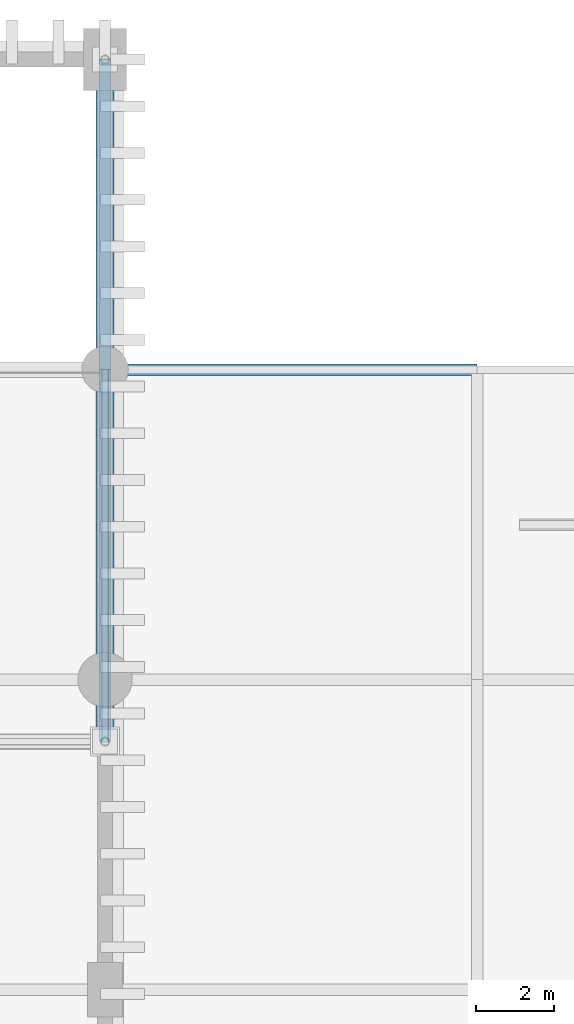
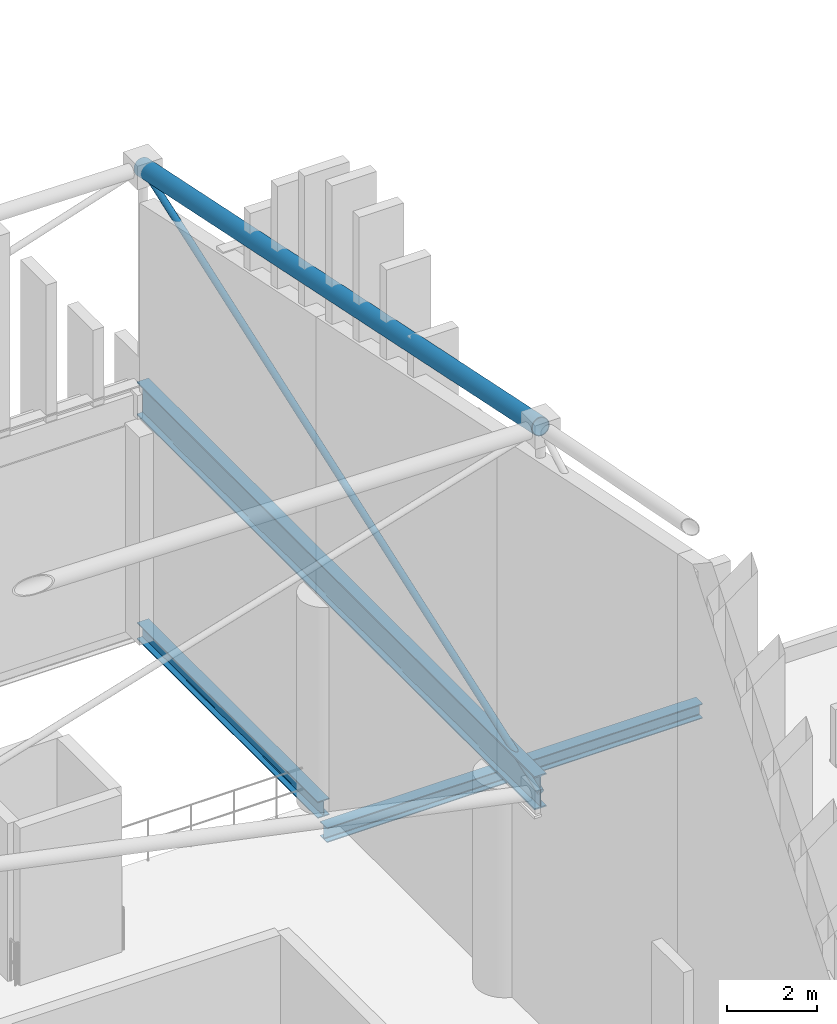
# One storey, part 135 of 193: 3 beams, 2 members.
"""IFC4 building model written with IfcOpenShell, lengths in metres."""

import ifcopenshell
import ifcopenshell.guid

model = None  # the IFC model being written
_history = None  # IfcOwnerHistory: only IFC2X3 demands one
_inside = {}  # id of a spatial element -> (the spatial element, [elements in it])
_under = {}  # id of a project, library or spatial element -> (it, [spatial elements below it])
_declared = {}  # id of a project -> (the project, [libraries it declares])
_typed = {}  # id of a type object -> (the type object, [elements of that type])
_made_of = {}  # id of a material, layer set ... -> (it, [elements and type objects made of it])


def new_model(schema):
    """Start an empty IFC model of exactly this schema.

    Asked for "IFC4X3", IfcOpenShell would pick the latest addendum, in which some entities
    have other attributes; the version numbers below select the first issue.
    IFC2X3 requires an IfcOwnerHistory on every rooted entity: one is made here for all.
    """
    global model, _history
    if schema == "IFC4X3":
        model = ifcopenshell.file(schema_version=(4, 3, 0, 0))
    else:
        model = ifcopenshell.file(schema=schema)
    _inside.clear()
    _under.clear()
    _declared.clear()
    _typed.clear()
    _made_of.clear()
    _history = None
    if model.schema == "IFC2X3":
        org = make("IfcOrganization", Name="unknown")
        user = make(
            "IfcPersonAndOrganization",
            ThePerson=make("IfcPerson", FamilyName="unknown"),
            TheOrganization=org,
        )
        app = make(
            "IfcApplication",
            ApplicationDeveloper=org,
            Version="unknown",
            ApplicationFullName="unknown",
            ApplicationIdentifier="unknown",
        )
        _history = make(
            "IfcOwnerHistory",
            OwningUser=user,
            OwningApplication=app,
            ChangeAction="ADDED",
            CreationDate=0,
        )
    return model


def make(cls, **values):
    """One entity of the class cls with the attributes given. An attribute that is None is left unset."""
    return model.create_entity(
        cls, **{name: value for name, value in values.items() if value is not None}
    )


def rooted(cls, **values):
    """An entity with a GlobalId (a new one), such as an element, a storey or a relation."""
    return make(cls, GlobalId=ifcopenshell.guid.new(), OwnerHistory=_history, **values)


def si_unit(unit_type, name, prefix=None):
    """IfcSIUnit, for example si_unit("LENGTHUNIT", "METRE", prefix="MILLI")."""
    return make("IfcSIUnit", UnitType=unit_type, Prefix=prefix, Name=name)


def assignment(units):
    """IfcUnitAssignment: the units of a project."""
    return None if units is None else make("IfcUnitAssignment", Units=units)


def point(xyz):
    """IfcCartesianPoint."""
    return None if xyz is None else make("IfcCartesianPoint", Coordinates=xyz)


def direction(xyz):
    """IfcDirection."""
    return None if xyz is None else make("IfcDirection", DirectionRatios=xyz)


def frame(location, z_axis=None, x_axis=None):
    """IfcAxis2Placement3D, a coordinate frame: its origin and axes. An axis left out is left unset."""
    return make(
        "IfcAxis2Placement3D",
        Location=point(location),
        Axis=direction(z_axis),
        RefDirection=direction(x_axis),
    )


def frame_2d(location, x_axis=None):
    """IfcAxis2Placement2D, a coordinate frame in the plane: its origin and x axis."""
    return make(
        "IfcAxis2Placement2D", Location=point(location), RefDirection=direction(x_axis)
    )


def origin():
    """The frame at (0, 0, 0) with its axes left unset."""
    return frame((0.0, 0.0, 0.0))


def origin_2d():
    """The frame at (0, 0) in the plane with its x axis left unset."""
    return frame_2d((0.0, 0.0))


def place(relative_to, where):
    """IfcLocalPlacement: puts the frame where relative to a parent placement (None: the world)."""
    return make(
        "IfcLocalPlacement", PlacementRelTo=relative_to, RelativePlacement=where
    )


def context(
    kind, dimensions, precision=None, world=None, true_north=None, identifier=None
):
    """IfcGeometricRepresentationContext, for example the 3D "Model" context."""
    return make(
        "IfcGeometricRepresentationContext",
        ContextIdentifier=identifier,
        ContextType=kind,
        CoordinateSpaceDimension=dimensions,
        Precision=precision,
        WorldCoordinateSystem=world,
        TrueNorth=true_north,
    )


def subcontext(parent, identifier, kind, view, scale=None):
    """IfcGeometricRepresentationSubContext, for example "Body" below "Model"."""
    return make(
        "IfcGeometricRepresentationSubContext",
        ContextIdentifier=identifier,
        ContextType=kind,
        ParentContext=parent,
        TargetScale=scale,
        TargetView=view,
    )


def project(units=None, contexts=None):
    """IfcProject with its units and contexts."""
    return rooted(
        "IfcProject",
        Name="project",
        RepresentationContexts=contexts,
        UnitsInContext=assignment(units),
    )


def spatial(cls, under=None, at=None, **own):
    """A site, building, storey or space (cls), placed at a placement, below another one or the project."""
    s = rooted(cls, ObjectPlacement=at, **own)
    if under is not None:
        _under.setdefault(under.id(), (under, []))[1].append(s)
    return s


def profile(cls, at=None, kind="AREA", **sizes):
    """A parametric profile (cls). Its sizes go by their IFC names, for example OverallWidth=200.0."""
    return make(cls, ProfileType=kind, Position=at, **sizes)


def hollow_circle(**sizes):
    """IfcCircleHollowProfileDef."""
    return profile("IfcCircleHollowProfileDef", **sizes)


def i_section(**sizes):
    """IfcIShapeProfileDef."""
    return profile("IfcIShapeProfileDef", **sizes)


def extrude(swept, where, along, depth):
    """IfcExtrudedAreaSolid: the profile swept, set in the frame where, extruded along a direction by depth."""
    return make(
        "IfcExtrudedAreaSolid",
        SweptArea=swept,
        Position=where,
        ExtrudedDirection=direction(along),
        Depth=depth,
    )


def shape(context_of_items, identifier, shape_type, items):
    """IfcShapeRepresentation: the items that make up one representation, for example the "Body"."""
    return make(
        "IfcShapeRepresentation",
        ContextOfItems=context_of_items,
        RepresentationIdentifier=identifier,
        RepresentationType=shape_type,
        Items=items,
    )


def material(Name=None, Category=None):
    """IfcMaterial."""
    return make("IfcMaterial", Name=Name, Category=Category)


def material_profile(
    of_material, cross_section, Name=None, Category=None, Priority=None
):
    """IfcMaterialProfile: a cross section and its material."""
    return make(
        "IfcMaterialProfile",
        Name=Name,
        Material=of_material,
        Profile=cross_section,
        Priority=Priority,
        Category=Category,
    )


def profile_set(profiles, Name=None, composite=None):
    """IfcMaterialProfileSet."""
    return make(
        "IfcMaterialProfileSet",
        Name=Name,
        MaterialProfiles=profiles,
        CompositeProfile=composite,
    )


def made_of(thing, what):
    """Note that an element or type object is made of a material, layer set ...; save() writes the relation."""
    if what is not None:
        _made_of.setdefault(what.id(), (what, []))[1].append(thing)
    return thing


def type_object(cls, material=None, **own):
    """A type object (cls), such as IfcWallType, which elements share."""
    return made_of(rooted(cls, **own), material)


def element(
    cls,
    number,
    at=None,
    inside=None,
    cuts=None,
    type_object=None,
    material=None,
    context=None,
    identifier="Body",
    shape_type=None,
    held_by="IfcProductDefinitionShape",
    body=None,
    shapes=None,
    **own,
):
    """One element of the class cls, such as IfcWall. Its Tag is "e" and its number.

    at: its placement. inside: the storey or other place that contains it. cuts: it is an
    opening in that element (IfcRelVoidsElement). A single representation is given by context,
    identifier, shape_type and body (its items); several are given by shapes. held_by: the class
    of the entity that holds the representations. save() writes the other relations.
    """
    e = rooted(cls, Tag="e%d" % number, ObjectPlacement=at, **own)
    if body is not None:
        shapes = [shape(context, identifier, shape_type, body)]
    if shapes is not None:
        e.Representation = make(held_by, Representations=shapes)
    if inside is not None:
        _inside.setdefault(inside.id(), (inside, []))[1].append(e)
    if cuts is not None:
        rooted(
            "IfcRelVoidsElement", RelatingBuildingElement=cuts, RelatedOpeningElement=e
        )
    if type_object is not None:
        _typed.setdefault(type_object.id(), (type_object, []))[1].append(e)
    return made_of(e, material)


def aggregate(whole, parts):
    """IfcRelAggregates: a whole, such as a stair, and the parts it consists of."""
    return rooted("IfcRelAggregates", RelatingObject=whole, RelatedObjects=parts)


def save(model, path):
    """Write the relations noted so far, then the file.

    IfcRelAggregates (storeys below a building ...), IfcRelContainedInSpatialStructure (elements
    in a storey), IfcRelDefinesByType, IfcRelAssociatesMaterial and IfcRelDeclares: one each for
    every whole, place, type object, material and project.
    """
    for whole, parts in _under.values():
        aggregate(whole, parts)
    for where, things in _inside.values():
        rooted(
            "IfcRelContainedInSpatialStructure",
            RelatedElements=things,
            RelatingStructure=where,
        )
    for kind, things in _typed.values():
        rooted("IfcRelDefinesByType", RelatedObjects=things, RelatingType=kind)
    for what, things in _made_of.values():
        rooted("IfcRelAssociatesMaterial", RelatedObjects=things, RelatingMaterial=what)
    for by, libraries in _declared.values():
        rooted("IfcRelDeclares", RelatingContext=by, RelatedDefinitions=libraries)
    model.write(path)


model = new_model("IFC4")

# Units and contexts
model_context = context("Model", 3, precision=1e-05, world=origin(), true_north=direction((0.0, 1.0)))
body_context = subcontext(model_context, "Body", "Model", "MODEL_VIEW")
ifc_project = project(units=[si_unit("LENGTHUNIT", "METRE"), si_unit("AREAUNIT", "SQUARE_METRE"), si_unit("VOLUMEUNIT", "CUBIC_METRE"), si_unit("PLANEANGLEUNIT", "RADIAN"), si_unit("MASSUNIT", "GRAM", prefix="KILO")], contexts=[model_context])

# Site, building, storey
site_placement = place(None, origin())
site = spatial("IfcSite", under=ifc_project, at=site_placement, CompositionType="ELEMENT")
building_placement = place(site_placement, origin())
building = spatial("IfcBuilding", under=site, at=building_placement, Name="Danafjord Basin Convention Centre", CompositionType="ELEMENT")
storey_placement = place(building_placement, frame((0.0, 0.0, 11.39990234375)))
storey = spatial("IfcBuildingStorey", under=building, at=storey_placement, Name="L02", CompositionType="ELEMENT", Elevation=11.39990234375)

# Beams
ifc_material = material(Name="Steel S355", Category="steel")
ifc_material_profile_1 = material_profile(ifc_material, i_section(OverallWidth=0.300048828125, OverallDepth=0.89990234375, WebThickness=0.0185546875, FlangeThickness=0.034912109375, FilletRadius=0.030029296875, at=origin_2d()), Name="HEB 900")
ifc_profile_set_1 = profile_set([ifc_material_profile_1], Name="Steel S355")
beam_type_1 = type_object("IfcBeamType", Name="BEAM-BM-HEB900", PredefinedType="BEAM", material=ifc_profile_set_1)
beam_1_placement = place(storey_placement, frame((115.199951171875, 126.39990234375, 6.050048828125), z_axis=(0.0, 1.0, 0.0), x_axis=(-1.0, 0.0, 0.0)))
element("IfcBeam", 1, at=beam_1_placement, inside=storey, type_object=beam_type_1, Name="V1 space-frame perimeter ring girder", PredefinedType="BEAM", context=body_context, shape_type="SweptSolid", body=[
    extrude(i_section(OverallWidth=0.300048828125, OverallDepth=0.89990234375, WebThickness=0.0185546875, FlangeThickness=0.034912109375, FilletRadius=0.030029296875, at=origin_2d()), origin(), (0.0, 0.0, 1.0), 17.60009765625),
])
ifc_material_profile_2 = material_profile(ifc_material, i_section(OverallWidth=0.300048828125, OverallDepth=0.39990234375, WebThickness=0.013427734375, FlangeThickness=0.02392578125, FilletRadius=0.027099609375, at=origin_2d()), Name="HEB 400")
ifc_profile_set_2 = profile_set([ifc_material_profile_2], Name="Steel S355")
beam_type_2 = type_object("IfcBeamType", Name="BEAM-SP-HEB400", PredefinedType="SPANDREL", material=ifc_profile_set_2)
beam_2_placement = place(storey_placement, frame((115.199951171875, 136.0, -0.864990234375), z_axis=(1.0, 0.0, 0.0), x_axis=(0.0, 1.0, 0.0)))
element("IfcBeam", 2, at=beam_2_placement, inside=storey, type_object=beam_type_2, Name="L02 girder SP-HEB400", PredefinedType="SPANDREL", context=body_context, shape_type="SweptSolid", body=[
    extrude(i_section(OverallWidth=0.300048828125, OverallDepth=0.39990234375, WebThickness=0.013427734375, FlangeThickness=0.02392578125, FilletRadius=0.027099609375, at=origin_2d()), origin(), (0.0, 0.0, 1.0), 9.60009765625),
])
ifc_material_profile_3 = material_profile(ifc_material, i_section(OverallWidth=0.300048828125, OverallDepth=0.449951171875, WebThickness=0.013916015625, FlangeThickness=0.02587890625, FilletRadius=0.027099609375, at=origin_2d()), Name="HEB 450")
ifc_profile_set_3 = profile_set([ifc_material_profile_3], Name="Steel S355")
beam_type_3 = type_object("IfcBeamType", Name="BEAM-SP-HEB450", PredefinedType="SPANDREL", material=ifc_profile_set_3)
beam_3_placement = place(storey_placement, frame((115.199951171875, 136.0, -0.224853515625), z_axis=(0.0, 1.0, 0.0), x_axis=(-1.0, 0.0, 0.0)))
element("IfcBeam", 3, at=beam_3_placement, inside=storey, type_object=beam_type_3, Name="L02 transverse girder SP-HEB450", PredefinedType="SPANDREL", context=body_context, shape_type="SweptSolid", body=[
    extrude(i_section(OverallWidth=0.300048828125, OverallDepth=0.449951171875, WebThickness=0.013916015625, FlangeThickness=0.02587890625, FilletRadius=0.027099609375, at=origin_2d()), origin(), (0.0, 0.0, 1.0), 8.0),
])

# Members
ifc_material_profile_4 = material_profile(ifc_material, hollow_circle(Radius=0.228515625, WallThickness=0.02001953125, at=origin_2d()), Name="CHS 457.0x20.0")
ifc_profile_set_4 = profile_set([ifc_material_profile_4], Name="Steel S355")
member_type_1 = type_object("IfcMemberType", Name="MEM-CH-CHS457", PredefinedType="CHORD", material=ifc_profile_set_4)
member_1_placement = place(storey_placement, frame((115.199951171875, 126.39990234375, 15.910888671875), z_axis=(0.0, 0.979044772718, -0.203645115368), x_axis=(-1.0, 0.0, 0.0)))
element("IfcMember", 4, at=member_1_placement, inside=storey, type_object=member_type_1, Name="V1 roof truss transverse top chord", PredefinedType="CHORD", context=body_context, shape_type="SweptSolid", body=[
    extrude(hollow_circle(Radius=0.228515625, WallThickness=0.02001953125, at=origin_2d()), origin(), (0.0, 0.0, 1.0), 17.976806640625),
])
ifc_material_profile_5 = material_profile(ifc_material, hollow_circle(Radius=0.084228515625, WallThickness=0.008056640625, at=origin_2d()), Name="CHS 168.3x8.0")
ifc_profile_set_5 = profile_set([ifc_material_profile_5], Name="Steel S355")
member_type_2 = type_object("IfcMemberType", Name="MEM-WB-CHS168", PredefinedType="MEMBER", material=ifc_profile_set_5)
member_2_placement = place(storey_placement, frame((115.199951171875, 126.39990234375, 6.050048828125), z_axis=(0.0, 0.943189436311, 0.33225545478), x_axis=(-1.0, 0.0, 0.0)))
element("IfcMember", 5, at=member_2_placement, inside=storey, type_object=member_type_2, Name="V1 space-frame transverse web", PredefinedType="MEMBER", context=body_context, shape_type="SweptSolid", body=[
    extrude(hollow_circle(Radius=0.084228515625, WallThickness=0.008056640625, at=origin_2d()), origin(), (0.0, 0.0, 1.0), 18.66015625),
])

save(model, "model.ifc")
